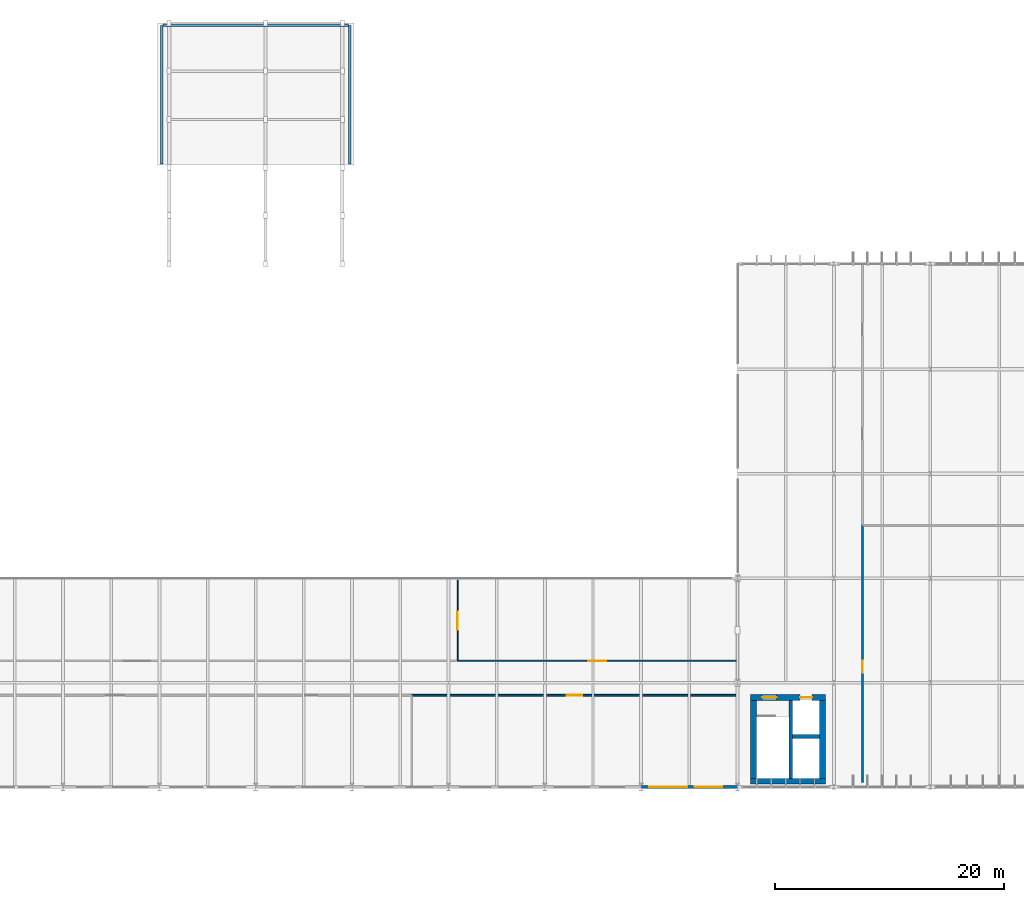
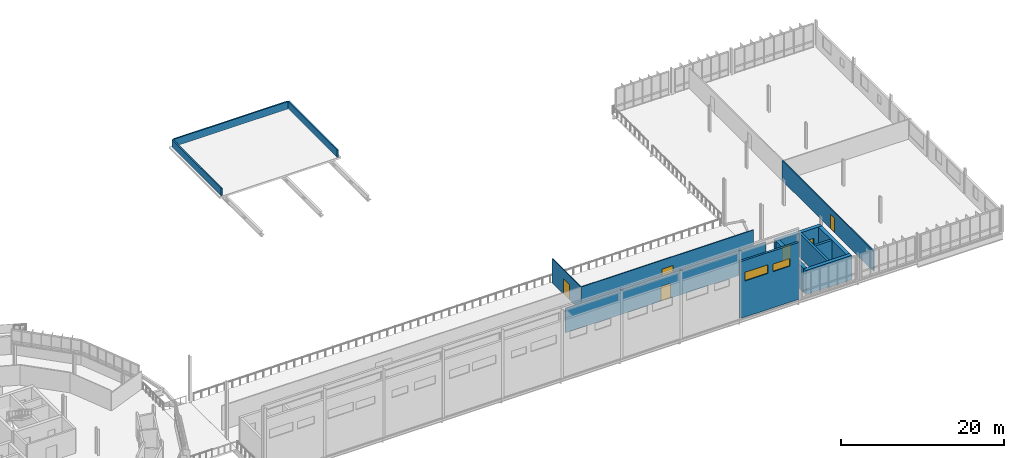
# One storey, part 51 of 61: 14 walls, 6 doors, 2 windows, 8 openings.
"""IFC4 building model written with IfcOpenShell, lengths in metres."""

from ifc_helpers import new_model, si_unit, derived_unit, direction, frame, frame_2d, origin, place, context, subcontext, project, spatial, rectangle, extrude, material, layer, layer_set, type_object, element, fill, save


model = new_model("IFC4")

# Units and contexts
model_context = context("Model", 3, precision=1e-05, world=origin(), true_north=direction((0.0, 1.0)))
body_context = subcontext(model_context, "Body", "Model", "MODEL_VIEW")
ifc_project = project(units=[si_unit("LENGTHUNIT", "METRE"), si_unit("AREAUNIT", "SQUARE_METRE"), si_unit("VOLUMEUNIT", "CUBIC_METRE"), si_unit("PLANEANGLEUNIT", "RADIAN"), si_unit("MASSUNIT", "GRAM", prefix="KILO"), derived_unit("THERMALTRANSMITTANCEUNIT", [(si_unit("MASSUNIT", "GRAM", prefix="KILO"), 1), (si_unit("TIMEUNIT", "SECOND"), -3), (si_unit("THERMODYNAMICTEMPERATUREUNIT", "KELVIN"), -1)])], contexts=[model_context])

# Site, building, storey
site_placement = place(None, origin())
site = spatial("IfcSite", under=ifc_project, at=site_placement, CompositionType="ELEMENT")
building_placement = place(site_placement, origin())
building = spatial("IfcBuilding", under=site, at=building_placement, Name="Makaiwela Harbour Ferry Terminal", CompositionType="ELEMENT")
storey_placement = place(building_placement, frame((0.0, 0.0, 13.800048828125)))
storey = spatial("IfcBuildingStorey", under=building, at=storey_placement, Name="L03", CompositionType="ELEMENT", Elevation=13.800048828125)

# Wall, openings, windows
ifc_material_1 = material(Name="Precast concrete f'c 40 MPa (6000 psi) with Hawaiian basalt rainscreen", Category="masonry")
ifc_layer_1 = layer(ifc_material_1, 0.300048828125)
ifc_layer_set_1 = layer_set([ifc_layer_1], Name="Precast concrete f'c 40 MPa (6000 psi) with Hawaiian basalt rainscreen")
wall_type_1 = type_object("IfcWallType", Name="ENV-WL-EXT300", PredefinedType="SOLIDWALL", material=ifc_layer_set_1)
wall_1_placement = place(storey_placement, frame((138.5849609375, 49.39990234375, 0.0), z_axis=(0.0, 0.0, 1.0), x_axis=(-1.0, 0.0, 0.0)))
wall_1 = element("IfcWall", 1, at=wall_1_placement, inside=storey, type_object=wall_type_1, Name="Exterior Wall EW-017", PredefinedType="SOLIDWALL", context=body_context, shape_type="SweptSolid", body=[
    extrude(rectangle(XDim=8.369873046875, YDim=0.300048828125, at=frame_2d((4.18505859375, 0.0))), origin(), (0.0, 0.0, 1.0), 8.5),
])
opening_1_placement = place(wall_1_placement, frame((1.31103515625, 0.0, 5.39990234375)))
opening_1 = element("IfcOpeningElement", 2, at=opening_1_placement, cuts=wall_1, Name="Opening SK-02", PredefinedType="OPENING", context=body_context, shape_type="SweptSolid", body=[
    extrude(rectangle(XDim=2.39990234375, YDim=1.14990234375, at=frame_2d((1.199951171875, 0.574951171875))), frame((0.0, 0.159912109375, 0.0), z_axis=(0.0, -1.0, 0.0), x_axis=(1.0, 0.0, 0.0)), (0.0, 0.0, 1.0), 0.320068359375),
])
opening_2_placement = place(wall_1_placement, frame((4.37646484375, 0.0, 5.39990234375)))
opening_2 = element("IfcOpeningElement", 3, at=opening_2_placement, cuts=wall_1, Name="Opening SK-05", PredefinedType="OPENING", context=body_context, shape_type="SweptSolid", body=[
    extrude(rectangle(XDim=3.300048828125, YDim=1.300048828125, at=frame_2d((1.64990234375, 0.64990234375))), frame((0.0, 0.159912109375, 0.0), z_axis=(0.0, -1.0, 0.0), x_axis=(1.0, 0.0, 0.0)), (0.0, 0.0, 1.0), 0.320068359375),
])
ifc_material_2 = material(Name="Laminated hurricane-impact low-E insulated glazing", Category="glass")
window_type_1 = type_object("IfcWindowType", Name="ENV-SKY-02", PartitioningType="SINGLE_PANEL", PredefinedType="SKYLIGHT", material=ifc_material_2)
window_1_placement = place(opening_1_placement, origin())
window_1 = element("IfcWindow", 4, at=window_1_placement, inside=storey, type_object=window_type_1, Name="Exterior Window SK-02", OverallHeight=1.14990234375, OverallWidth=2.39990234375, PartitioningType="SINGLE_PANEL", PredefinedType="SKYLIGHT", context=body_context, shape_type="SweptSolid", body=[
    extrude(rectangle(XDim=2.39990234375, YDim=1.14990234375, at=frame_2d((1.199951171875, 0.574951171875))), frame((0.0, 0.030029296875, 0.0), z_axis=(0.0, -1.0, 0.0), x_axis=(1.0, 0.0, 0.0)), (0.0, 0.0, 1.0), 0.06005859375),
])
fill(opening_1, window_1)
window_type_2 = type_object("IfcWindowType", Name="ENV-SKY-05", PartitioningType="SINGLE_PANEL", PredefinedType="SKYLIGHT", material=ifc_material_2)
window_2_placement = place(opening_2_placement, origin())
window_2 = element("IfcWindow", 5, at=window_2_placement, inside=storey, type_object=window_type_2, Name="Exterior Window SK-05", OverallHeight=1.300048828125, OverallWidth=3.300048828125, PartitioningType="SINGLE_PANEL", PredefinedType="SKYLIGHT", context=body_context, shape_type="SweptSolid", body=[
    extrude(rectangle(XDim=3.300048828125, YDim=1.300048828125, at=frame_2d((1.64990234375, 0.64990234375))), frame((0.0, 0.030029296875, 0.0), z_axis=(0.0, -1.0, 0.0), x_axis=(1.0, 0.0, 0.0)), (0.0, 0.0, 1.0), 0.06005859375),
])
fill(opening_2, window_2)

# Walls
ifc_material_3 = material(Name="Precast concrete f'c 40 MPa (6000 psi)", Category="concrete")
ifc_layer_2 = layer(ifc_material_3, 0.18994140625)
ifc_layer_set_2 = layer_set([ifc_layer_2], Name="Precast concrete f'c 40 MPa (6000 psi)")
wall_type_2 = type_object("IfcWallType", Name="ENV-WL-PAR190", PredefinedType="PARAPET", material=ifc_layer_set_2)
wall_2_placement = place(storey_placement, frame((88.39990234375, 103.699951171875, 0.0), z_axis=(0.0, 0.0, 1.0), x_axis=(0.0, 1.0, 0.0)))
element("IfcWall", 6, at=wall_2_placement, inside=storey, type_object=wall_type_2, Name="Roof Parapet Wall PW-016", PredefinedType="PARAPET", context=body_context, shape_type="SweptSolid", body=[
    extrude(rectangle(XDim=12.10009765625, YDim=0.18994140625, at=frame_2d((6.050048828125, 0.0))), origin(), (0.0, 0.0, 1.0), 1.119873046875),
])
wall_3_placement = place(storey_placement, frame((88.5048828125, 115.800048828125, 0.0), z_axis=(0.0, 0.0, 1.0), x_axis=(1.0, 0.0, 0.0)))
element("IfcWall", 7, at=wall_3_placement, inside=storey, type_object=wall_type_2, Name="Roof Parapet Wall PW-017", PredefinedType="PARAPET", context=body_context, shape_type="SweptSolid", body=[
    extrude(rectangle(XDim=16.190185546875, YDim=0.18994140625, at=frame_2d((8.09521484375, 0.0))), origin(), (0.0, 0.0, 1.0), 1.119873046875),
])
wall_4_placement = place(storey_placement, frame((104.800048828125, 115.800048828125, 0.0), z_axis=(0.0, 0.0, 1.0), x_axis=(0.0, -1.0, 0.0)))
element("IfcWall", 8, at=wall_4_placement, inside=storey, type_object=wall_type_2, Name="Roof Parapet Wall PW-018", PredefinedType="PARAPET", context=body_context, shape_type="SweptSolid", body=[
    extrude(rectangle(XDim=12.10009765625, YDim=0.18994140625, at=frame_2d((6.050048828125, 0.0))), origin(), (0.0, 0.0, 1.0), 1.119873046875),
])

# Wall, opening, door
ifc_material_4 = material(Name="Fire-rated gypsum board on steel studs", Category="steel")
ifc_layer_3 = layer(ifc_material_4, 0.1650390625)
ifc_layer_set_3 = layer_set([ifc_layer_3], Name="Fire-rated gypsum board on steel studs")
wall_type_3 = type_object("IfcWallType", Name="INT-WL-FIR165", PredefinedType="PARTITIONING", material=ifc_layer_set_3)
wall_5_placement = place(storey_placement, frame((110.199951171875, 57.39990234375, 0.0), z_axis=(0.0, 0.0, 1.0), x_axis=(1.0, 0.0, 0.0)))
wall_5 = element("IfcWall", 9, at=wall_5_placement, inside=storey, type_object=wall_type_3, Name="Interior Wall IW-0560", PredefinedType="PARTITIONING", context=body_context, shape_type="SweptSolid", body=[
    extrude(rectangle(XDim=28.360107421875, YDim=0.1650390625, at=frame_2d((14.18017578125, 0.0))), origin(), (0.0, 0.0, 1.0), 3.639892578125),
])
opening_3_placement = place(wall_5_placement, frame((13.5048828125, 0.0, 0.0)))
opening_3 = element("IfcOpeningElement", 10, at=opening_3_placement, cuts=wall_5, Name="Opening D-15", PredefinedType="OPENING", context=body_context, shape_type="SweptSolid", body=[
    extrude(rectangle(XDim=1.35009765625, YDim=2.199951171875, at=frame_2d((0.675048828125, 1.10009765625))), frame((0.0, 0.092529296875, 0.0), z_axis=(0.0, -1.0, 0.0), x_axis=(1.0, 0.0, 0.0)), (0.0, 0.0, 1.0), 0.18505859375),
])
ifc_material_5 = material(Name="Insulated galvanised fire-rated steel leaf and frame", Category="steel")
door_type_1 = type_object("IfcDoorType", Name="INT-DR-STR135", OperationType="NOTDEFINED", PredefinedType="DOOR", material=ifc_material_5)
door_1_placement = place(opening_3_placement, origin())
door_1 = element("IfcDoor", 11, at=door_1_placement, inside=storey, type_object=door_type_1, Name="Door D-15", OperationType="SINGLE_SWING_RIGHT", OverallHeight=2.199951171875, OverallWidth=1.35009765625, PredefinedType="DOOR", context=body_context, shape_type="SweptSolid", body=[
    extrude(rectangle(XDim=1.35009765625, YDim=2.199951171875, at=frame_2d((0.675048828125, 1.10009765625))), frame((0.0, 0.02490234375, 0.0), z_axis=(0.0, -1.0, 0.0), x_axis=(1.0, 0.0, 0.0)), (0.0, 0.0, 1.0), 0.050048828125),
])
fill(opening_3, door_1)

ifc_material_6 = material(Name="Moisture-resistant acoustic gypsum partition", Category="gypsum")
ifc_layer_4 = layer(ifc_material_6, 0.10009765625)
ifc_layer_set_4 = layer_set([ifc_layer_4], Name="Moisture-resistant acoustic gypsum partition")
wall_type_4 = type_object("IfcWallType", Name="INT-WL-PRT100", PredefinedType="PARTITIONING", material=ifc_layer_set_4)
wall_6_placement = place(storey_placement, frame((114.199951171875, 60.39990234375, 0.0), z_axis=(0.0, 0.0, 1.0), x_axis=(0.0, 1.0, 0.0)))
wall_6 = element("IfcWall", 12, at=wall_6_placement, inside=storey, type_object=wall_type_4, Name="Interior Wall IW-0564", PredefinedType="PARTITIONING", context=body_context, shape_type="SweptSolid", body=[
    extrude(rectangle(XDim=7.0, YDim=0.10009765625, at=frame_2d((3.5, 0.0))), origin(), (0.0, 0.0, 1.0), 3.639892578125),
])
opening_4_placement = place(wall_6_placement, frame((2.72509765625, 0.0, 0.0)))
opening_4 = element("IfcOpeningElement", 13, at=opening_4_placement, cuts=wall_6, Name="Opening D-21", PredefinedType="OPENING", context=body_context, shape_type="SweptSolid", body=[
    extrude(rectangle(XDim=1.550048828125, YDim=2.300048828125, at=frame_2d((0.77490234375, 1.14990234375))), frame((0.0, 0.06005859375, 0.0), z_axis=(0.0, -1.0, 0.0), x_axis=(1.0, 0.0, 0.0)), (0.0, 0.0, 1.0), 0.1201171875),
])
ifc_material_7 = material(Name="Solid-core marine hardwood and painted steel frame", Category="steel")
door_type_2 = type_object("IfcDoorType", Name="INT-DR-VIP155", OperationType="NOTDEFINED", PredefinedType="DOOR", material=ifc_material_7)
door_2_placement = place(opening_4_placement, origin())
door_2 = element("IfcDoor", 14, at=door_2_placement, inside=storey, type_object=door_type_2, Name="Door D-21", OperationType="DOUBLE_DOOR_SINGLE_SWING", OverallHeight=2.300048828125, OverallWidth=1.550048828125, PredefinedType="DOOR", context=body_context, shape_type="SweptSolid", body=[
    extrude(rectangle(XDim=1.550048828125, YDim=2.300048828125, at=frame_2d((0.77490234375, 1.14990234375))), frame((0.0, 0.02490234375, 0.0), z_axis=(0.0, -1.0, 0.0), x_axis=(1.0, 0.0, 0.0)), (0.0, 0.0, 1.0), 0.050048828125),
])
fill(opening_4, door_2)

ifc_layer_5 = layer(ifc_material_6, 0.1201171875)
ifc_layer_set_5 = layer_set([ifc_layer_5], Name="Moisture-resistant acoustic gypsum partition")
wall_type_5 = type_object("IfcWallType", Name="INT-WL-PRT120", PredefinedType="PARTITIONING", material=ifc_layer_set_5)
wall_7_placement = place(storey_placement, frame((114.199951171875, 60.39990234375, 0.0), z_axis=(0.0, 0.0, 1.0), x_axis=(1.0, 0.0, 0.0)))
wall_7 = element("IfcWall", 15, at=wall_7_placement, inside=storey, type_object=wall_type_5, Name="Interior Wall IW-0563", PredefinedType="PARTITIONING", context=body_context, shape_type="SweptSolid", body=[
    extrude(rectangle(XDim=24.360107421875, YDim=0.1201171875, at=frame_2d((12.18017578125, 0.0))), origin(), (0.0, 0.0, 1.0), 3.639892578125),
])
opening_5_placement = place(wall_7_placement, frame((11.405029296875, 0.0, 0.0)))
opening_5 = element("IfcOpeningElement", 16, at=opening_5_placement, cuts=wall_7, Name="Opening D-21", PredefinedType="OPENING", context=body_context, shape_type="SweptSolid", body=[
    extrude(rectangle(XDim=1.550048828125, YDim=2.300048828125, at=frame_2d((0.77490234375, 1.14990234375))), frame((0.0, 0.070068359375, 0.0), z_axis=(0.0, -1.0, 0.0), x_axis=(1.0, 0.0, 0.0)), (0.0, 0.0, 1.0), 0.14013671875),
])
door_3_placement = place(opening_5_placement, frame((1.550048828125, 0.0, 0.0), z_axis=(0.0, 0.0, 1.0), x_axis=(-1.0, 0.0, 0.0)))
door_3 = element("IfcDoor", 17, at=door_3_placement, inside=storey, type_object=door_type_2, Name="Door D-21", OperationType="DOUBLE_DOOR_SINGLE_SWING", OverallHeight=2.300048828125, OverallWidth=1.550048828125, PredefinedType="DOOR", context=body_context, shape_type="SweptSolid", body=[
    extrude(rectangle(XDim=1.550048828125, YDim=2.300048828125, at=frame_2d((0.77490234375, 1.14990234375))), frame((0.0, 0.02490234375, 0.0), z_axis=(0.0, -1.0, 0.0), x_axis=(1.0, 0.0, 0.0)), (0.0, 0.0, 1.0), 0.050048828125),
])
fill(opening_5, door_3)

ifc_layer_6 = layer(ifc_material_6, 0.14990234375)
ifc_layer_set_6 = layer_set([ifc_layer_6], Name="Moisture-resistant acoustic gypsum partition")
wall_type_6 = type_object("IfcWallType", Name="INT-WL-PRT150", PredefinedType="PARTITIONING", material=ifc_layer_set_6)
wall_8_placement = place(storey_placement, frame((149.5, 49.800048828125, 0.0), z_axis=(0.0, 0.0, 1.0), x_axis=(0.0, 1.0, 0.0)))
wall_8 = element("IfcWall", 18, at=wall_8_placement, inside=storey, type_object=wall_type_6, Name="Interior Wall IW-0565", PredefinedType="PARTITIONING", context=body_context, shape_type="SweptSolid", body=[
    extrude(rectangle(XDim=22.39990234375, YDim=0.14990234375, at=frame_2d((11.199951171875, 0.0))), origin(), (0.0, 0.0, 1.0), 3.02294921875),
])
opening_6_placement = place(wall_8_placement, frame((9.570068359375, 0.0, 0.0)))
opening_6 = element("IfcOpeningElement", 19, at=opening_6_placement, cuts=wall_8, Name="Opening D-13", PredefinedType="OPENING", context=body_context, shape_type="SweptSolid", body=[
    extrude(rectangle(XDim=1.02001953125, YDim=2.199951171875, at=frame_2d((0.510009765625, 1.10009765625))), frame((0.0, 0.0849609375, 0.0), z_axis=(0.0, -1.0, 0.0), x_axis=(1.0, 0.0, 0.0)), (0.0, 0.0, 1.0), 0.169921875),
])
door_type_3 = type_object("IfcDoorType", Name="INT-DR-OFF102", OperationType="NOTDEFINED", PredefinedType="DOOR", material=ifc_material_7)
door_4_placement = place(opening_6_placement, frame((1.02001953125, 0.0, 0.0), z_axis=(0.0, 0.0, 1.0), x_axis=(-1.0, 0.0, 0.0)))
door_4 = element("IfcDoor", 20, at=door_4_placement, inside=storey, type_object=door_type_3, Name="Door D-13", OperationType="SINGLE_SWING_LEFT", OverallHeight=2.199951171875, OverallWidth=1.02001953125, PredefinedType="DOOR", context=body_context, shape_type="SweptSolid", body=[
    extrude(rectangle(XDim=1.02001953125, YDim=2.199951171875, at=frame_2d((0.510009765625, 1.10009765625))), frame((0.0, 0.02490234375, 0.0), z_axis=(0.0, -1.0, 0.0), x_axis=(1.0, 0.0, 0.0)), (0.0, 0.0, 1.0), 0.050048828125),
])
fill(opening_6, door_4)

# Walls
ifc_material_8 = material(Name="Concrete f'c 45 MPa (6500 psi)", Category="concrete")
ifc_layer_7 = layer(ifc_material_8, 0.320068359375)
ifc_layer_set_7 = layer_set([ifc_layer_7], Name="Concrete f'c 45 MPa (6500 psi)")
wall_type_7 = type_object("IfcWallType", Name="INT-WL-SHR320", PredefinedType="SHEAR", material=ifc_layer_set_7)
wall_9_placement = place(storey_placement, frame((143.239990234375, 50.159912109375, 0.0), z_axis=(0.0, 0.0, 1.0), x_axis=(0.0, 1.0, 0.0)))
element("IfcWall", 21, at=wall_9_placement, inside=storey, type_object=wall_type_7, Name="Interior Wall IW-0212", PredefinedType="SHEAR", context=body_context, shape_type="SweptSolid", body=[
    extrude(rectangle(XDim=6.780029296875, YDim=0.320068359375, at=frame_2d((3.39013671875, 0.0))), origin(), (0.0, 0.0, 1.0), 3.619873046875),
])
wall_10_placement = place(storey_placement, frame((143.405029296875, 53.800048828125, 0.0), z_axis=(0.0, 0.0, 1.0), x_axis=(1.0, 0.0, 0.0)))
element("IfcWall", 22, at=wall_10_placement, inside=storey, type_object=wall_type_7, Name="Interior Wall IW-0213", PredefinedType="SHEAR", context=body_context, shape_type="SweptSolid", body=[
    extrude(rectangle(XDim=2.340087890625, YDim=0.320068359375, at=frame_2d((1.169921875, 0.0))), origin(), (0.0, 0.0, 1.0), 3.619873046875),
])
ifc_layer_8 = layer(ifc_material_8, 0.5)
ifc_layer_set_8 = layer_set([ifc_layer_8], Name="Concrete f'c 45 MPa (6500 psi)")
wall_type_8 = type_object("IfcWallType", Name="INT-WL-SHR500", PredefinedType="SHEAR", material=ifc_layer_set_8)
wall_11_placement = place(storey_placement, frame((139.75, 49.89990234375, 0.0), z_axis=(0.0, 0.0, 1.0), x_axis=(1.0, 0.0, 0.0)))
element("IfcWall", 23, at=wall_11_placement, inside=storey, type_object=wall_type_8, Name="Interior Wall IW-0208", PredefinedType="SHEAR", context=body_context, shape_type="SweptSolid", body=[
    extrude(rectangle(XDim=6.5, YDim=0.5, at=frame_2d((3.25, 0.0))), origin(), (0.0, 0.0, 1.0), 3.619873046875),
])

# Wall, openings, doors
wall_12_placement = place(storey_placement, frame((139.75, 57.199951171875, 0.0), z_axis=(0.0, 0.0, 1.0), x_axis=(1.0, 0.0, 0.0)))
wall_12 = element("IfcWall", 24, at=wall_12_placement, inside=storey, type_object=wall_type_8, Name="Interior Wall IW-0209", PredefinedType="SHEAR", context=body_context, shape_type="SweptSolid", body=[
    extrude(rectangle(XDim=6.5, YDim=0.5, at=frame_2d((3.25, 0.0))), origin(), (0.0, 0.0, 1.0), 3.619873046875),
])
opening_7_placement = place(wall_12_placement, frame((1.0, 0.0, 0.0)))
opening_7 = element("IfcOpeningElement", 25, at=opening_7_placement, cuts=wall_12, Name="Opening D-02", PredefinedType="OPENING", context=body_context, shape_type="SweptSolid", body=[
    extrude(rectangle(XDim=1.25, YDim=2.199951171875, at=frame_2d((0.625, 1.10009765625))), frame((0.0, 0.260009765625, 0.0), z_axis=(0.0, -1.0, 0.0), x_axis=(1.0, 0.0, 0.0)), (0.0, 0.0, 1.0), 0.52001953125),
])
opening_8_placement = place(wall_12_placement, frame((4.2998046875, 0.0, 0.0)))
opening_8 = element("IfcOpeningElement", 26, at=opening_8_placement, cuts=wall_12, Name="Opening LD-01", PredefinedType="OPENING", context=body_context, shape_type="SweptSolid", body=[
    extrude(rectangle(XDim=1.050048828125, YDim=2.14990234375, at=frame_2d((0.52490234375, 1.074951171875))), frame((0.0, 0.260009765625, 0.0), z_axis=(0.0, -1.0, 0.0), x_axis=(1.0, 0.0, 0.0)), (0.0, 0.0, 1.0), 0.52001953125),
])
ifc_material_9 = material(Name="Marine grade 316L brushed stainless steel", Category="steel")
door_type_4 = type_object("IfcDoorType", Name="INT-DR-LD105", OperationType="NOTDEFINED", PredefinedType="DOOR", material=ifc_material_9)
door_5_placement = place(opening_8_placement, origin())
door_5 = element("IfcDoor", 27, at=door_5_placement, inside=storey, type_object=door_type_4, Name="Door LD-01", OperationType="DOUBLE_DOOR_SLIDING", OverallHeight=2.14990234375, OverallWidth=1.050048828125, PredefinedType="DOOR", context=body_context, shape_type="SweptSolid", body=[
    extrude(rectangle(XDim=1.050048828125, YDim=2.14990234375, at=frame_2d((0.52490234375, 1.074951171875))), frame((0.0, 0.02490234375, 0.0), z_axis=(0.0, -1.0, 0.0), x_axis=(1.0, 0.0, 0.0)), (0.0, 0.0, 1.0), 0.050048828125),
])
fill(opening_8, door_5)
door_type_5 = type_object("IfcDoorType", Name="INT-DR-ST125", OperationType="NOTDEFINED", PredefinedType="DOOR", material=ifc_material_5)
door_6_placement = place(opening_7_placement, origin())
door_6 = element("IfcDoor", 28, at=door_6_placement, inside=storey, type_object=door_type_5, Name="Door D-02", OperationType="SINGLE_SWING_LEFT", OverallHeight=2.199951171875, OverallWidth=1.25, PredefinedType="DOOR", context=body_context, shape_type="SweptSolid", body=[
    extrude(rectangle(XDim=1.25, YDim=2.199951171875, at=frame_2d((0.625, 1.10009765625))), frame((0.0, 0.02490234375, 0.0), z_axis=(0.0, -1.0, 0.0), x_axis=(1.0, 0.0, 0.0)), (0.0, 0.0, 1.0), 0.050048828125),
])
fill(opening_7, door_6)

# Walls
for number, where, z_axis, x_axis, name in (
    (29, (140.0, 50.159912109375, 0.0), (0.0, 0.0, 1.0), (0.0, 1.0, 0.0), "Interior Wall IW-0210"),
    (30, (146.0, 50.159912109375, 0.0), (0.0, 0.0, 1.0), (0.0, 1.0, 0.0), "Interior Wall IW-0211"),
):
    element("IfcWall", number, at=place(storey_placement, frame(where, z_axis=z_axis, x_axis=x_axis)), inside=storey, type_object=wall_type_8, Name=name, PredefinedType="SHEAR", context=body_context, shape_type="SweptSolid", body=[
        extrude(rectangle(XDim=6.780029296875, YDim=0.5, at=frame_2d((3.39013671875, 0.0))), origin(), (0.0, 0.0, 1.0), 3.619873046875),
    ])

save(model, "model.ifc")
